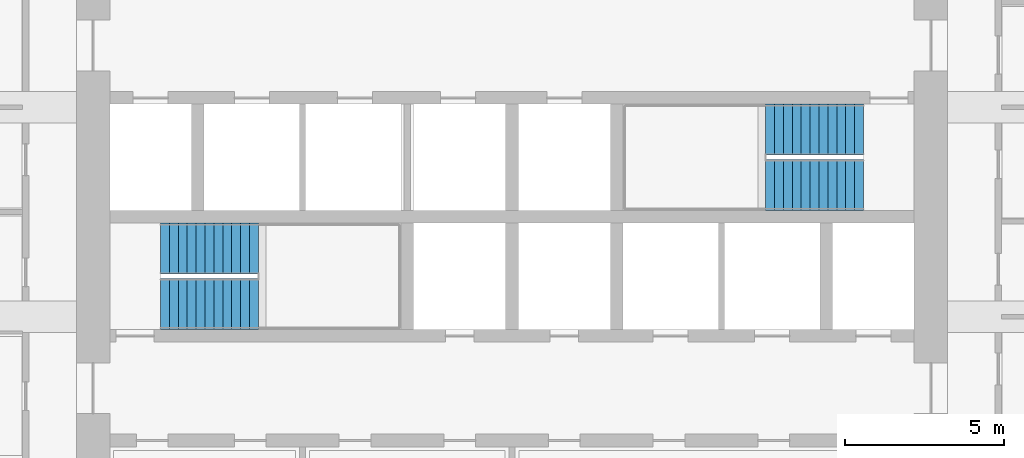
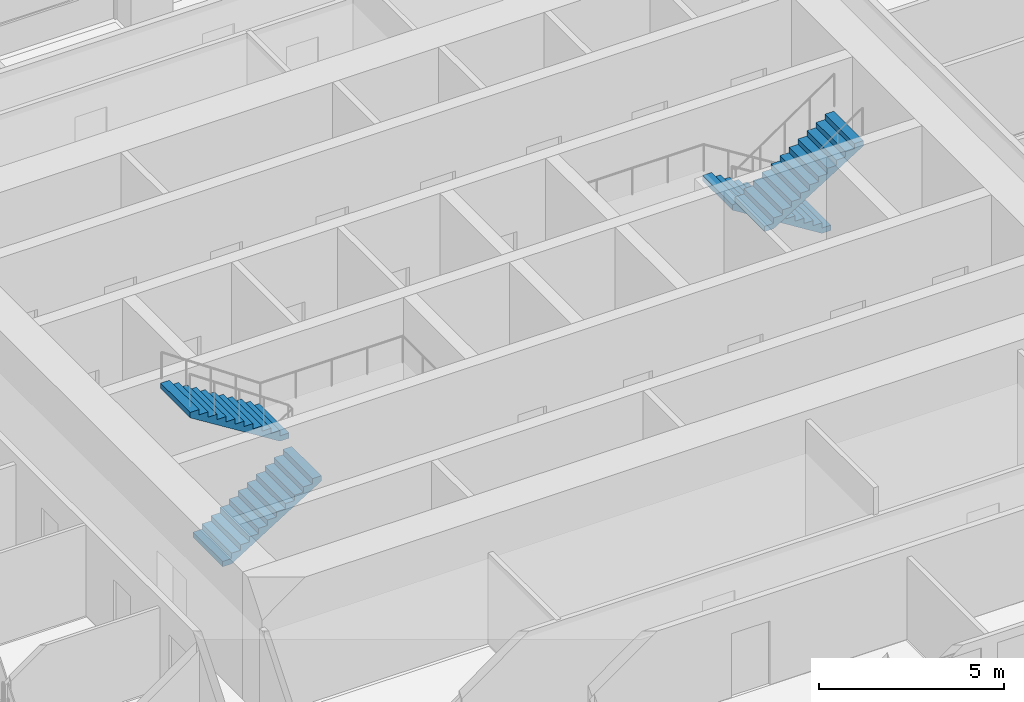
# One storey, part 17 of 21: 4 stair flights, 2 elements without a shape of their own.
"""IFC4 building model written with IfcOpenShell, lengths in metres."""

from ifc_helpers import new_model, si_unit, direction, frame, origin, place, context, subcontext, project, spatial, polyline, outline, extrude, material, type_object, element, aggregate, save


model = new_model("IFC4")

# Units and contexts
model_context = context("Model", 3, precision=1e-05, world=origin(), true_north=direction((0.0, 1.0)))
body_context = subcontext(model_context, "Body", "Model", "MODEL_VIEW")
ifc_project = project(units=[si_unit("LENGTHUNIT", "METRE"), si_unit("AREAUNIT", "SQUARE_METRE"), si_unit("VOLUMEUNIT", "CUBIC_METRE"), si_unit("PLANEANGLEUNIT", "RADIAN"), si_unit("MASSUNIT", "GRAM", prefix="KILO")], contexts=[model_context])

# Site, building, storey
site_placement = place(None, origin())
site = spatial("IfcSite", under=ifc_project, at=site_placement, CompositionType="ELEMENT")
building_placement = place(site_placement, origin())
building = spatial("IfcBuilding", under=site, at=building_placement, Name="Cobogo Forest Laboratory Tower", CompositionType="ELEMENT")
storey_placement = place(building_placement, frame((0.0, 0.0, 250.199951171875)))
storey = spatial("IfcBuildingStorey", under=building, at=storey_placement, Name="L57", CompositionType="ELEMENT", Elevation=250.199951171875)

# Stair, stair flights
ifc_material = material(Name="Precast concrete HA-40 (C40/50)", Category="concrete")
stair_type = type_object("IfcStairType", Name="ST24 exit stair 24 risers", PredefinedType="HALF_TURN_STAIR", material=ifc_material)
stair_1_placement = place(storey_placement, origin())
stair_1 = element("IfcStair", 1, at=stair_1_placement, inside=storey, type_object=stair_type, Name="Stair 1 L57 to L58", PredefinedType="HALF_TURN_STAIR")
stair_flight_type = type_object("IfcStairFlightType", Name="ST stair flight 280 going", PredefinedType="STRAIGHT", material=ifc_material)
stair_flight_1_placement = place(storey_placement, frame((15.324951171875, 20.199951171875, 0.0), z_axis=(0.0, 0.0, 1.0), x_axis=(1.0, 0.0, 0.0)))
stair_flight_1 = element("IfcStairFlight", 2, at=stair_flight_1_placement, type_object=stair_flight_type, Name="ST1 flight 1", NumberOfRisers=12, NumberOfTreads=11, PredefinedType="STRAIGHT", RiserHeight=0.175, TreadLength=0.28, context=body_context, shape_type="SweptSolid", body=[
    extrude(outline(polyline([(0.0, 0.0), (0.0, 0.175048828125), (0.280029296875, 0.175048828125), (0.280029296875, 0.35009765625), (0.56005859375, 0.35009765625), (0.56005859375, 0.52490234375), (0.840087890625, 0.52490234375), (0.840087890625, 0.699951171875), (1.1201171875, 0.699951171875), (1.1201171875, 0.875), (1.39990234375, 0.875), (1.39990234375, 1.050048828125), (1.679931640625, 1.050048828125), (1.679931640625, 1.22509765625), (1.9599609375, 1.22509765625), (1.9599609375, 1.39990234375), (2.239990234375, 1.39990234375), (2.239990234375, 1.574951171875), (2.52001953125, 1.574951171875), (2.52001953125, 1.75), (2.800048828125, 1.75), (2.800048828125, 1.925048828125), (3.080078125, 1.925048828125), (3.080078125, 2.10009765625), (3.080078125, 1.748291015625), (0.28271484375, 0.0), (0.0, 0.0)])), frame((0.0, 0.800048828125, 0.0), z_axis=(0.0, -1.0, 0.0), x_axis=(1.0, 0.0, 0.0)), (0.0, 0.0, 1.0), 1.60009765625),
])
stair_flight_2_placement = place(storey_placement, frame((18.405029296875, 21.949951171875, 2.10009765625), z_axis=(0.0, 0.0, 1.0), x_axis=(-1.0, 0.0, 0.0)))
stair_flight_2 = element("IfcStairFlight", 3, at=stair_flight_2_placement, type_object=stair_flight_type, Name="ST1 flight 2", NumberOfRisers=12, NumberOfTreads=11, PredefinedType="STRAIGHT", RiserHeight=0.175, TreadLength=0.28, context=body_context, shape_type="SweptSolid", body=[
    extrude(outline(polyline([(0.0, 0.0), (0.0, 0.175048828125), (0.280029296875, 0.175048828125), (0.280029296875, 0.35009765625), (0.56005859375, 0.35009765625), (0.56005859375, 0.52490234375), (0.840087890625, 0.52490234375), (0.840087890625, 0.699951171875), (1.1201171875, 0.699951171875), (1.1201171875, 0.875), (1.39990234375, 0.875), (1.39990234375, 1.050048828125), (1.679931640625, 1.050048828125), (1.679931640625, 1.22509765625), (1.9599609375, 1.22509765625), (1.9599609375, 1.39990234375), (2.239990234375, 1.39990234375), (2.239990234375, 1.574951171875), (2.52001953125, 1.574951171875), (2.52001953125, 1.75), (2.800048828125, 1.75), (2.800048828125, 1.925048828125), (3.080078125, 1.925048828125), (3.080078125, 2.10009765625), (3.080078125, 1.748291015625), (0.28271484375, 0.0), (0.0, 0.0)])), frame((0.0, 0.800048828125, 0.0), z_axis=(0.0, -1.0, 0.0), x_axis=(1.0, 0.0, 0.0)), (0.0, 0.0, 1.0), 1.60009765625),
])
aggregate(stair_1, [stair_flight_1, stair_flight_2])

stair_2_placement = place(storey_placement, origin())
stair_2 = element("IfcStair", 4, at=stair_2_placement, inside=storey, type_object=stair_type, Name="Stair 2 L57 to L58", PredefinedType="HALF_TURN_STAIR")
stair_flight_3_placement = place(storey_placement, frame((37.47509765625, 25.699951171875, 0.0), z_axis=(0.0, 0.0, 1.0), x_axis=(-1.0, 0.0, 0.0)))
stair_flight_3 = element("IfcStairFlight", 5, at=stair_flight_3_placement, type_object=stair_flight_type, Name="ST2 flight 1", NumberOfRisers=12, NumberOfTreads=11, PredefinedType="STRAIGHT", RiserHeight=0.175, TreadLength=0.28, context=body_context, shape_type="SweptSolid", body=[
    extrude(outline(polyline([(0.0, 0.0), (0.0, 0.175048828125), (0.280029296875, 0.175048828125), (0.280029296875, 0.35009765625), (0.56005859375, 0.35009765625), (0.56005859375, 0.52490234375), (0.840087890625, 0.52490234375), (0.840087890625, 0.699951171875), (1.1201171875, 0.699951171875), (1.1201171875, 0.875), (1.39990234375, 0.875), (1.39990234375, 1.050048828125), (1.679931640625, 1.050048828125), (1.679931640625, 1.22509765625), (1.9599609375, 1.22509765625), (1.9599609375, 1.39990234375), (2.239990234375, 1.39990234375), (2.239990234375, 1.574951171875), (2.52001953125, 1.574951171875), (2.52001953125, 1.75), (2.800048828125, 1.75), (2.800048828125, 1.925048828125), (3.080078125, 1.925048828125), (3.080078125, 2.10009765625), (3.080078125, 1.748291015625), (0.28271484375, 0.0), (0.0, 0.0)])), frame((0.0, 0.800048828125, 0.0), z_axis=(0.0, -1.0, 0.0), x_axis=(1.0, 0.0, 0.0)), (0.0, 0.0, 1.0), 1.60009765625),
])
stair_flight_4_placement = place(storey_placement, frame((34.39501953125, 23.949951171875, 2.10009765625), z_axis=(0.0, 0.0, 1.0), x_axis=(1.0, 0.0, 0.0)))
stair_flight_4 = element("IfcStairFlight", 6, at=stair_flight_4_placement, type_object=stair_flight_type, Name="ST2 flight 2", NumberOfRisers=12, NumberOfTreads=11, PredefinedType="STRAIGHT", RiserHeight=0.175, TreadLength=0.28, context=body_context, shape_type="SweptSolid", body=[
    extrude(outline(polyline([(0.0, 0.0), (0.0, 0.175048828125), (0.280029296875, 0.175048828125), (0.280029296875, 0.35009765625), (0.56005859375, 0.35009765625), (0.56005859375, 0.52490234375), (0.840087890625, 0.52490234375), (0.840087890625, 0.699951171875), (1.1201171875, 0.699951171875), (1.1201171875, 0.875), (1.39990234375, 0.875), (1.39990234375, 1.050048828125), (1.679931640625, 1.050048828125), (1.679931640625, 1.22509765625), (1.9599609375, 1.22509765625), (1.9599609375, 1.39990234375), (2.239990234375, 1.39990234375), (2.239990234375, 1.574951171875), (2.52001953125, 1.574951171875), (2.52001953125, 1.75), (2.800048828125, 1.75), (2.800048828125, 1.925048828125), (3.080078125, 1.925048828125), (3.080078125, 2.10009765625), (3.080078125, 1.748291015625), (0.28271484375, 0.0), (0.0, 0.0)])), frame((0.0, 0.800048828125, 0.0), z_axis=(0.0, -1.0, 0.0), x_axis=(1.0, 0.0, 0.0)), (0.0, 0.0, 1.0), 1.60009765625),
])
aggregate(stair_2, [stair_flight_3, stair_flight_4])

save(model, "model.ifc")
